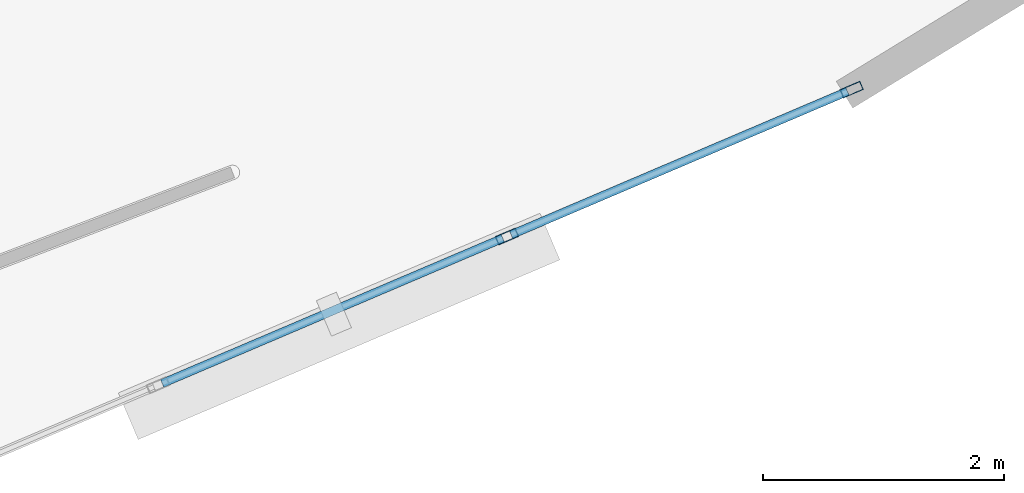
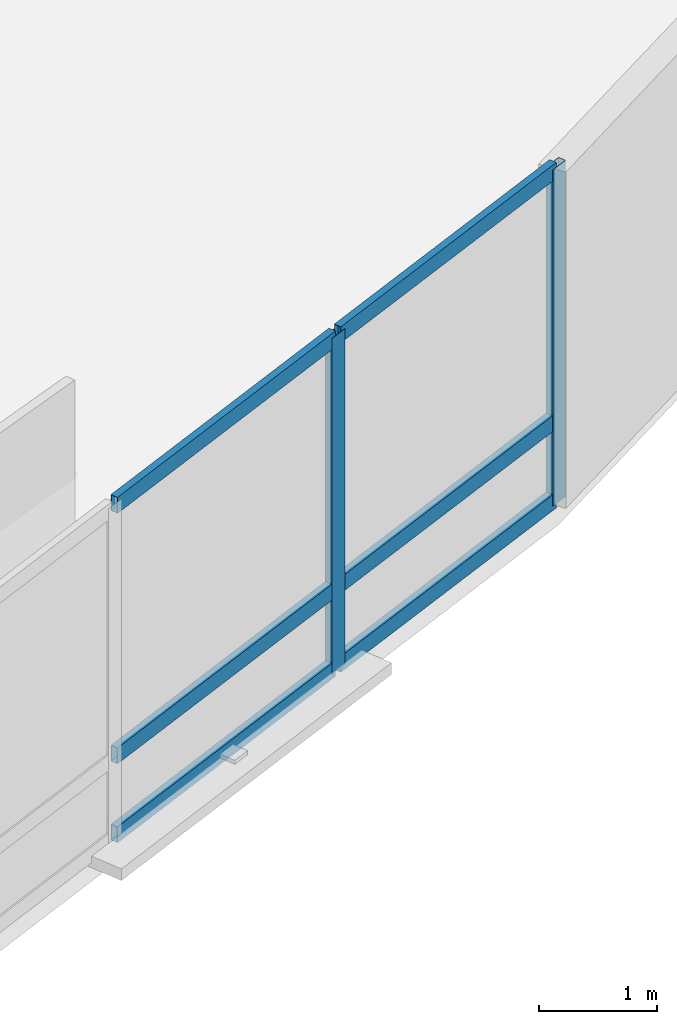
# One storey, part 11 of 20: 8 members, 1 element without a shape of its own.
"""IFC4 building model written with IfcOpenShell, lengths in metres."""

from ifc_helpers import new_model, si_unit, direction, frame, origin, origin_2d, place, context, subcontext, project, spatial, hollow_rectangle, extrude, material, layer, layer_set, material_profile, profile_set, type_object, element, aggregate, save


model = new_model("IFC4")

# Units and contexts
model_context = context("Model", 3, precision=1e-05, world=origin(), true_north=direction((0.0, 1.0)))
body_context = subcontext(model_context, "Body", "Model", "MODEL_VIEW")
ifc_project = project(units=[si_unit("LENGTHUNIT", "METRE"), si_unit("AREAUNIT", "SQUARE_METRE"), si_unit("VOLUMEUNIT", "CUBIC_METRE"), si_unit("PLANEANGLEUNIT", "RADIAN"), si_unit("MASSUNIT", "GRAM", prefix="KILO")], contexts=[model_context])

# Site, building, storey
site_placement = place(None, origin())
site = spatial("IfcSite", under=ifc_project, at=site_placement, CompositionType="ELEMENT")
building_placement = place(site_placement, origin())
building = spatial("IfcBuilding", under=site, at=building_placement, Name="Menara Vayukalpa", CompositionType="ELEMENT")
storey_placement = place(building_placement, frame((0.0, 0.0, 57.360107421875)))
storey = spatial("IfcBuildingStorey", under=building, at=storey_placement, Name="L13", CompositionType="ELEMENT", Elevation=57.360107421875)

# Curtain wall, members
ifc_material_1 = material(Name="Anodised Terracotta Aluminium Alloy 6063-T6", Category="masonry")
ifc_layer = layer(ifc_material_1, 0.179931640625)
ifc_layer_set = layer_set([ifc_layer], Name="Anodised Terracotta Aluminium Alloy 6063-T6")
curtain_wall_type = type_object("IfcCurtainWallType", Name="CW-CW4", PredefinedType="USERDEFINED", material=ifc_layer_set)
curtain_wall_placement = place(storey_placement, origin())
curtain_wall = element("IfcCurtainWall", 1, at=curtain_wall_placement, inside=storey, type_object=curtain_wall_type, Name="L13 Sky Bar Cantilever Glazed Curtain Wall CW4 17", ObjectType="UNITISED", PredefinedType="USERDEFINED")
ifc_material_2 = material(Name="Anodised Terracotta Aluminium Alloy 6063-T6", Category="masonry")
ifc_material_profile_1 = material_profile(ifc_material_2, hollow_rectangle(XDim=0.074951171875, YDim=0.179931640625, WallThickness=0.00390625, at=origin_2d()), Name="ALU 75x180x4")
ifc_profile_set_1 = profile_set([ifc_material_profile_1], Name="Anodised Terracotta Aluminium Alloy 6063-T6")
member_type_1 = type_object("IfcMemberType", Name="CWM-CW4", PredefinedType="MULLION", material=ifc_profile_set_1)
member_1_placement = place(storey_placement, frame((44.205078125, 13.259033203125, 0.0), z_axis=(0.0, 0.0, 1.0), x_axis=(-0.392008132718, 0.919961751315, 0.0)))
member_1 = element("IfcMember", 2, at=member_1_placement, type_object=member_type_1, Name="CW4 mullion 3", PredefinedType="MULLION", context=body_context, shape_type="SweptSolid", body=[
    extrude(hollow_rectangle(XDim=0.074951171875, YDim=0.179931640625, WallThickness=0.00390625, at=origin_2d()), origin(), (0.0, 0.0, 1.0), 3.469970703125),
])
member_2_placement = place(storey_placement, frame((47.06298828125, 14.476806640625, 0.0), z_axis=(0.0, 0.0, 1.0), x_axis=(-0.392008132718, 0.919961751315, 0.0)))
member_2 = element("IfcMember", 3, at=member_2_placement, type_object=member_type_1, Name="CW4 mullion 4", PredefinedType="MULLION", context=body_context, shape_type="SweptSolid", body=[
    extrude(hollow_rectangle(XDim=0.074951171875, YDim=0.179931640625, WallThickness=0.00390625, at=origin_2d()), origin(), (0.0, 0.0, 1.0), 3.469970703125),
])
ifc_material_3 = material(Name="Anodised Terracotta Aluminium Alloy 6063-T6", Category="masonry")
ifc_material_profile_2 = material_profile(ifc_material_3, hollow_rectangle(XDim=0.070068359375, YDim=0.1650390625, WallThickness=0.00390625, at=origin_2d()), Name="ALU 70x165x4")
ifc_profile_set_2 = profile_set([ifc_material_profile_2], Name="Anodised Terracotta Aluminium Alloy 6063-T6")
member_type_2 = type_object("IfcMemberType", Name="CWT-CW4", PredefinedType="USERDEFINED", material=ifc_profile_set_2)
member_3_placement = place(storey_placement, frame((41.34716796875, 12.041259765625, 0.034912109375), z_axis=(0.919961830658, 0.392007946518, 0.0), x_axis=(-0.392007946518, 0.919961830658, 0.0)))
member_3 = element("IfcMember", 4, at=member_3_placement, type_object=member_type_2, Name="CW4 transom 2.1", ObjectType="TRANSOM", PredefinedType="USERDEFINED", context=body_context, shape_type="SweptSolid", body=[
    extrude(hollow_rectangle(XDim=0.070068359375, YDim=0.1650390625, WallThickness=0.00390625, at=origin_2d()), origin(), (0.0, 0.0, 1.0), 3.069091796875),
])
member_4_placement = place(storey_placement, frame((41.34716796875, 12.041259765625, 0.849853515625), z_axis=(0.919961830658, 0.392007946518, 0.0), x_axis=(-0.392007946518, 0.919961830658, 0.0)))
member_4 = element("IfcMember", 5, at=member_4_placement, type_object=member_type_2, Name="CW4 transom 2.2", ObjectType="TRANSOM", PredefinedType="USERDEFINED", context=body_context, shape_type="SweptSolid", body=[
    extrude(hollow_rectangle(XDim=0.070068359375, YDim=0.1650390625, WallThickness=0.00390625, at=origin_2d()), origin(), (0.0, 0.0, 1.0), 3.069091796875),
])
member_5_placement = place(storey_placement, frame((41.34716796875, 12.041259765625, 3.434814453125), z_axis=(0.919961830658, 0.392007946518, 0.0), x_axis=(-0.392007946518, 0.919961830658, 0.0)))
member_5 = element("IfcMember", 6, at=member_5_placement, type_object=member_type_2, Name="CW4 transom 2.3", ObjectType="TRANSOM", PredefinedType="USERDEFINED", context=body_context, shape_type="SweptSolid", body=[
    extrude(hollow_rectangle(XDim=0.070068359375, YDim=0.1650390625, WallThickness=0.00390625, at=origin_2d()), origin(), (0.0, 0.0, 1.0), 3.069091796875),
])
member_6_placement = place(storey_placement, frame((44.239501953125, 13.273681640625, 0.034912109375), z_axis=(0.919959450087, 0.392013533178, 0.0), x_axis=(-0.392013533178, 0.919959450087, 0.0)))
member_6 = element("IfcMember", 7, at=member_6_placement, type_object=member_type_2, Name="CW4 transom 3.1", ObjectType="TRANSOM", PredefinedType="USERDEFINED", context=body_context, shape_type="SweptSolid", body=[
    extrude(hollow_rectangle(XDim=0.070068359375, YDim=0.1650390625, WallThickness=0.00390625, at=origin_2d()), origin(), (0.0, 0.0, 1.0), 3.03173828125),
])
member_7_placement = place(storey_placement, frame((44.239501953125, 13.273681640625, 0.849853515625), z_axis=(0.919959450087, 0.392013533178, 0.0), x_axis=(-0.392013533178, 0.919959450087, 0.0)))
member_7 = element("IfcMember", 8, at=member_7_placement, type_object=member_type_2, Name="CW4 transom 3.2", ObjectType="TRANSOM", PredefinedType="USERDEFINED", context=body_context, shape_type="SweptSolid", body=[
    extrude(hollow_rectangle(XDim=0.070068359375, YDim=0.1650390625, WallThickness=0.00390625, at=origin_2d()), origin(), (0.0, 0.0, 1.0), 3.03173828125),
])
member_8_placement = place(storey_placement, frame((44.239501953125, 13.273681640625, 3.434814453125), z_axis=(0.919959450087, 0.392013533178, 0.0), x_axis=(-0.392013533178, 0.919959450087, 0.0)))
member_8 = element("IfcMember", 9, at=member_8_placement, type_object=member_type_2, Name="CW4 transom 3.3", ObjectType="TRANSOM", PredefinedType="USERDEFINED", context=body_context, shape_type="SweptSolid", body=[
    extrude(hollow_rectangle(XDim=0.070068359375, YDim=0.1650390625, WallThickness=0.00390625, at=origin_2d()), origin(), (0.0, 0.0, 1.0), 3.03173828125),
])
aggregate(curtain_wall, [member_1, member_2, member_3, member_4, member_5, member_6, member_7, member_8])

save(model, "model.ifc")
